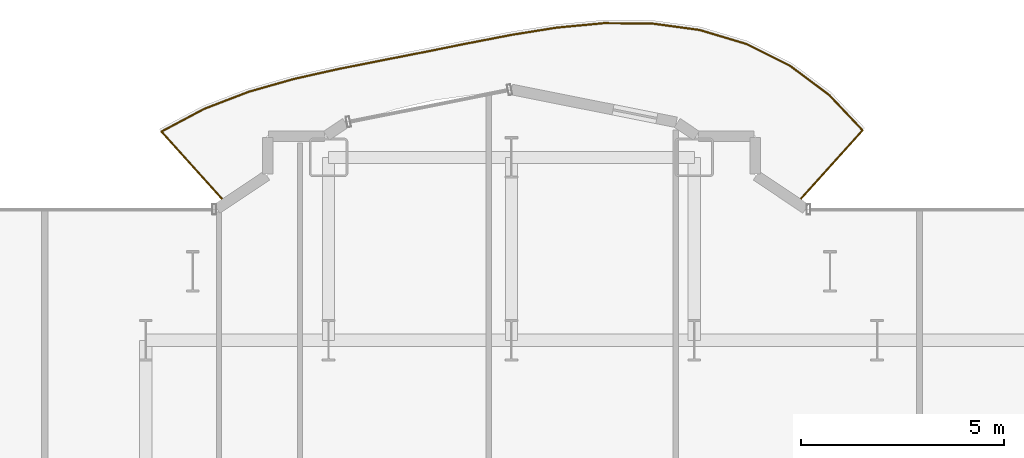
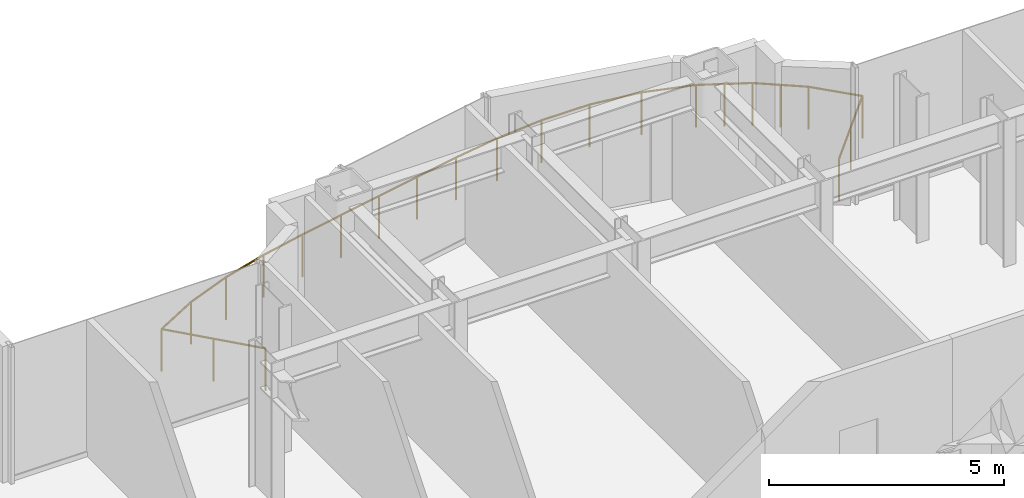
# One storey, part 29 of 29: 1 railing.
"""IFC4 building model written with IfcOpenShell, lengths in metres."""

from ifc_helpers import new_model, si_unit, direction, frame, origin, origin_2d, place, context, subcontext, project, spatial, circle, extrude, material, type_object, element, save


model = new_model("IFC4")

# Units and contexts
model_context = context("Model", 3, precision=1e-05, world=origin(), true_north=direction((0.0, 1.0)))
body_context = subcontext(model_context, "Body", "Model", "MODEL_VIEW")
ifc_project = project(units=[si_unit("LENGTHUNIT", "METRE"), si_unit("AREAUNIT", "SQUARE_METRE"), si_unit("VOLUMEUNIT", "CUBIC_METRE"), si_unit("PLANEANGLEUNIT", "RADIAN"), si_unit("MASSUNIT", "GRAM", prefix="KILO")], contexts=[model_context])

# Site, building, storey
site_placement = place(None, origin())
site = spatial("IfcSite", under=ifc_project, at=site_placement, CompositionType="ELEMENT")
building_placement = place(site_placement, origin())
building = spatial("IfcBuilding", under=site, at=building_placement, Name="Nefas-Gora Pilgrimage Tower", CompositionType="ELEMENT")
storey_placement = place(building_placement, frame((0.0, 0.0, 55.800048828125)))
storey = spatial("IfcBuildingStorey", under=building, at=storey_placement, Name="L12", CompositionType="ELEMENT", Elevation=55.800048828125)

# Railing
ifc_material = material(Name="Laminated safety glass and stainless steel", Category="steel")
railing_type = type_object("IfcRailingType", Name="RLG-BAL-1100", PredefinedType="BALUSTRADE", material=ifc_material)
railing_placement = place(storey_placement, frame((4.802490234375, 21.402587890625, 0.0)))
element("IfcRailing", 1, at=railing_placement, inside=storey, type_object=railing_type, Name="L12 Wave Balcony Balustrade N1", PredefinedType="BALUSTRADE", context=body_context, shape_type="SweptSolid", body=[
    extrude(circle(Radius=0.02392578125, at=origin_2d()), frame((0.0, 0.0, 1.09619140625), z_axis=(0.669135077133, 0.74314079995, 0.0), x_axis=(-0.74314079995, 0.669135077133, 0.0)), (0.0, 0.0, 1.0), 2.375244140625),
    extrude(circle(Radius=0.02392578125, at=origin_2d()), frame((1.58935546875, 1.76513671875, 1.09619140625), z_axis=(-0.68750179514, 0.726182677898, 0.0), x_axis=(-0.726182677898, -0.68750179514, 0.0)), (0.0, 0.0, 1.0), 1.19921875),
    extrude(circle(Radius=0.02392578125, at=origin_2d()), frame((0.764892578125, 2.635986328125, 1.09619140625), z_axis=(-0.801437477804, 0.59807856438, 0.0), x_axis=(-0.59807856438, -0.801437477804, 0.0)), (0.0, 0.0, 1.0), 1.200439453125),
    extrude(circle(Radius=0.02392578125, at=origin_2d()), frame((-0.197265625, 3.35400390625, 1.09619140625), z_axis=(-0.89467105907, 0.44672552654, 0.0), x_axis=(-0.44672552654, -0.89467105907, 0.0)), (0.0, 0.0, 1.0), 1.20068359375),
    extrude(circle(Radius=0.02392578125, at=origin_2d()), frame((-1.271484375, 3.890380859375, 1.09619140625), z_axis=(-0.958038938913, 0.286638084571, 0.0), x_axis=(-0.286638084571, -0.958038938913, 0.0)), (0.0, 0.0, 1.0), 1.19921875),
    extrude(circle(Radius=0.02392578125, at=origin_2d()), frame((-2.42041015625, 4.234130859375, 1.09619140625), z_axis=(-0.990887292095, 0.134693631496, 0.0), x_axis=(-0.134693631496, -0.990887292095, 0.0)), (0.0, 0.0, 1.0), 1.194580078125),
    extrude(circle(Radius=0.02392578125, at=origin_2d()), frame((-3.60400390625, 4.39501953125, 1.09619140625), z_axis=(-0.999987695818, 0.004960666536, 0.0), x_axis=(-0.004960666536, -0.999987695818, 0.0)), (0.0, 0.0, 1.0), 1.18115234375),
    extrude(circle(Radius=0.02392578125, at=origin_2d()), frame((-4.78515625, 4.40087890625, 1.09619140625), z_axis=(-0.995572807418, -0.093993537703, 0.0), x_axis=(0.093993537703, -0.995572807418, 0.0)), (0.0, 0.0, 1.0), 1.158447265625),
    extrude(circle(Radius=0.02392578125, at=origin_2d()), frame((-5.9384765625, 4.2919921875, 1.09619140625), z_axis=(-0.98740955461, -0.15818461197, 0.0), x_axis=(0.15818461197, -0.98740955461, 0.0)), (0.0, 0.0, 1.0), 1.128173828125),
    extrude(circle(Radius=0.02392578125, at=origin_2d()), frame((-7.052490234375, 4.113525390625, 1.09619140625), z_axis=(-0.981742387209, -0.190215365199, 0.0), x_axis=(0.190215365199, -0.981742387209, 0.0)), (0.0, 0.0, 1.0), 1.0986328125),
    extrude(circle(Radius=0.02392578125, at=origin_2d()), frame((-8.131103515625, 3.904541015625, 1.09619140625), z_axis=(-0.980414901531, -0.196943191949, 0.0), x_axis=(0.196943191949, -0.980414901531, 0.0)), (0.0, 0.0, 1.0), 1.07861328125),
    extrude(circle(Radius=0.02392578125, at=origin_2d()), frame((-9.1884765625, 3.692138671875, 1.09619140625), z_axis=(-0.981315429712, -0.192405892346, 0.0), x_axis=(0.192405892346, -0.981315429712, 0.0)), (0.0, 0.0, 1.0), 1.075927734375),
    extrude(circle(Radius=0.02392578125, at=origin_2d()), frame((-10.244384765625, 3.485107421875, 1.09619140625), z_axis=(-0.980846406589, -0.194782767929, 0.0), x_axis=(0.194782767929, -0.980846406589, 0.0)), (0.0, 0.0, 1.0), 1.091796875),
    extrude(circle(Radius=0.02392578125, at=origin_2d()), frame((-11.315185546875, 3.2724609375, 1.09619140625), z_axis=(-0.975857703496, -0.218407285884, 0.0), x_axis=(0.218407285884, -0.975857703496, 0.0)), (0.0, 0.0, 1.0), 1.1201171875),
    extrude(circle(Radius=0.02392578125, at=origin_2d()), frame((-12.408203125, 3.02783203125, 1.09619140625), z_axis=(-0.962066425729, -0.272815308377, 0.0), x_axis=(0.272815308377, -0.962066425729, 0.0)), (0.0, 0.0, 1.0), 1.15087890625),
    extrude(circle(Radius=0.02392578125, at=origin_2d()), frame((-13.515380859375, 2.7138671875, 1.09619140625), z_axis=(-0.933666294474, -0.358144175665, 0.0), x_axis=(0.358144175665, -0.933666294474, 0.0)), (0.0, 0.0, 1.0), 1.17578125),
    extrude(circle(Radius=0.02392578125, at=origin_2d()), frame((-14.61328125, 2.292724609375, 1.09619140625), z_axis=(-0.883049407943, -0.469280026351, 0.0), x_axis=(0.469280026351, -0.883049407943, 0.0)), (0.0, 0.0, 1.0), 1.19189453125),
    extrude(circle(Radius=0.02392578125, at=origin_2d()), frame((-15.665771484375, 1.7333984375, 1.09619140625), z_axis=(0.669138195153, -0.743137992427, 0.0), x_axis=(0.743137992427, 0.669138195153, 0.0)), (0.0, 0.0, 1.0), 2.33251953125),
    extrude(circle(Radius=0.02099609375, at=origin_2d()), origin(), (0.0, 0.0, 1.0), 1.072021484375),
    extrude(circle(Radius=0.02099609375, at=origin_2d()), frame((0.794677734375, 0.882568359375, 0.0)), (0.0, 0.0, 1.0), 1.072021484375),
    extrude(circle(Radius=0.02099609375, at=origin_2d()), frame((1.58935546875, 1.76513671875, 0.0)), (0.0, 0.0, 1.0), 1.072021484375),
    extrude(circle(Radius=0.02099609375, at=origin_2d()), frame((0.764892578125, 2.635986328125, 0.0)), (0.0, 0.0, 1.0), 1.072021484375),
    extrude(circle(Radius=0.02099609375, at=origin_2d()), frame((0.28369140625, 2.9951171875, 0.0)), (0.0, 0.0, 1.0), 1.072021484375),
    extrude(circle(Radius=0.02099609375, at=origin_2d()), frame((-0.197265625, 3.35400390625, 0.0)), (0.0, 0.0, 1.0), 1.072021484375),
    extrude(circle(Radius=0.02099609375, at=origin_2d()), frame((-0.734375, 3.6220703125, 0.0)), (0.0, 0.0, 1.0), 1.072021484375),
    extrude(circle(Radius=0.02099609375, at=origin_2d()), frame((-1.271484375, 3.890380859375, 0.0)), (0.0, 0.0, 1.0), 1.072021484375),
    extrude(circle(Radius=0.02099609375, at=origin_2d()), frame((-2.42041015625, 4.234130859375, 0.0)), (0.0, 0.0, 1.0), 1.072021484375),
    extrude(circle(Radius=0.02099609375, at=origin_2d()), frame((-3.60400390625, 4.39501953125, 0.0)), (0.0, 0.0, 1.0), 1.072021484375),
    extrude(circle(Radius=0.02099609375, at=origin_2d()), frame((-4.78515625, 4.40087890625, 0.0)), (0.0, 0.0, 1.0), 1.072021484375),
    extrude(circle(Radius=0.02099609375, at=origin_2d()), frame((-5.9384765625, 4.2919921875, 0.0)), (0.0, 0.0, 1.0), 1.072021484375),
    extrude(circle(Radius=0.02099609375, at=origin_2d()), frame((-7.052490234375, 4.113525390625, 0.0)), (0.0, 0.0, 1.0), 1.072021484375),
    extrude(circle(Radius=0.02099609375, at=origin_2d()), frame((-8.131103515625, 3.904541015625, 0.0)), (0.0, 0.0, 1.0), 1.072021484375),
    extrude(circle(Radius=0.02099609375, at=origin_2d()), frame((-9.1884765625, 3.692138671875, 0.0)), (0.0, 0.0, 1.0), 1.072021484375),
    extrude(circle(Radius=0.02099609375, at=origin_2d()), frame((-10.244384765625, 3.485107421875, 0.0)), (0.0, 0.0, 1.0), 1.072021484375),
    extrude(circle(Radius=0.02099609375, at=origin_2d()), frame((-11.315185546875, 3.2724609375, 0.0)), (0.0, 0.0, 1.0), 1.072021484375),
    extrude(circle(Radius=0.02099609375, at=origin_2d()), frame((-12.408203125, 3.02783203125, 0.0)), (0.0, 0.0, 1.0), 1.072021484375),
    extrude(circle(Radius=0.02099609375, at=origin_2d()), frame((-13.515380859375, 2.7138671875, 0.0)), (0.0, 0.0, 1.0), 1.072021484375),
    extrude(circle(Radius=0.02099609375, at=origin_2d()), frame((-14.61328125, 2.292724609375, 0.0)), (0.0, 0.0, 1.0), 1.072021484375),
    extrude(circle(Radius=0.02099609375, at=origin_2d()), frame((-15.665771484375, 1.7333984375, 0.0)), (0.0, 0.0, 1.0), 1.072021484375),
    extrude(circle(Radius=0.02099609375, at=origin_2d()), frame((-14.88525390625, 0.86669921875, 0.0)), (0.0, 0.0, 1.0), 1.072021484375),
    extrude(circle(Radius=0.02099609375, at=origin_2d()), frame((-14.10498046875, 0.0, 0.0)), (0.0, 0.0, 1.0), 1.072021484375),
])

save(model, "model.ifc")
